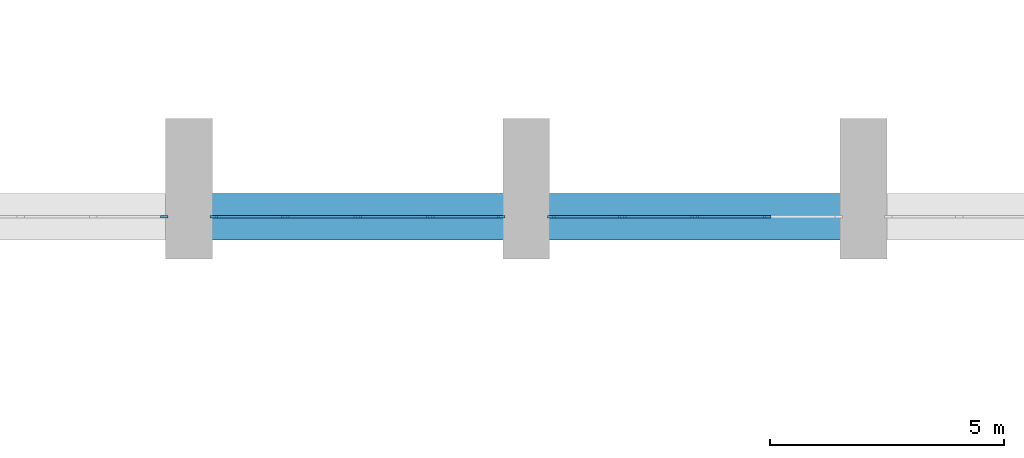
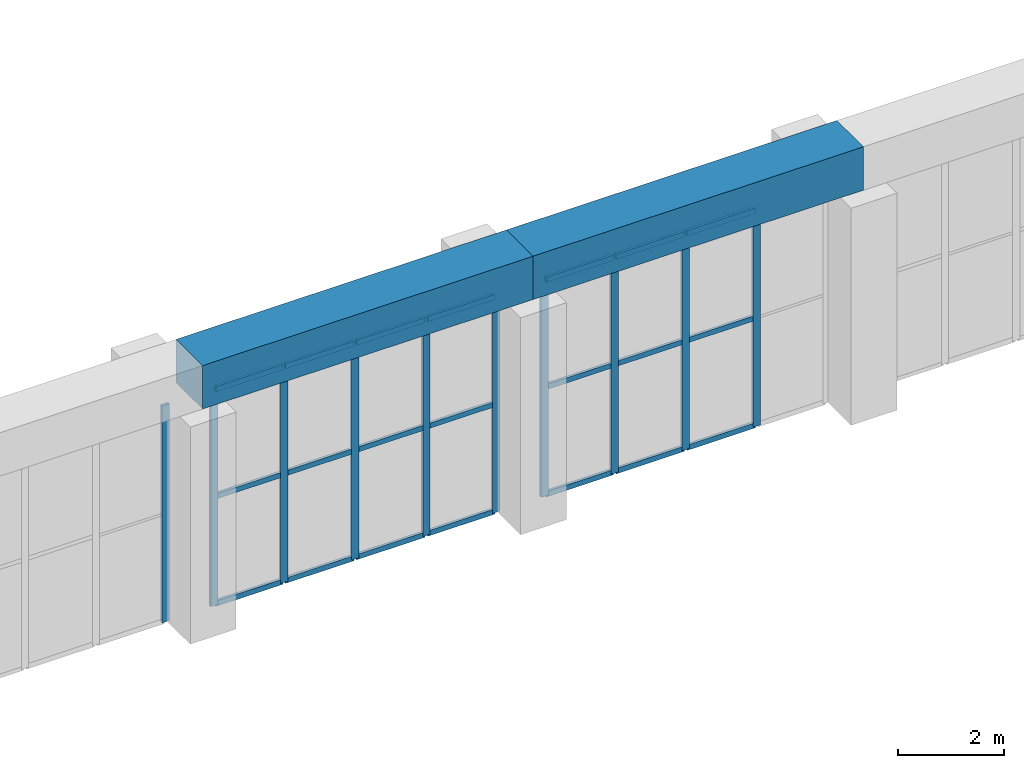
# One storey, part 11 of 44: 31 members, 2 beams, 3 elements without a shape of their own.
"""IFC4 building model written with IfcOpenShell, lengths in metres."""

from ifc_helpers import new_model, si_unit, direction, frame, origin, origin_2d, place, context, subcontext, project, spatial, rectangle, extrude, material, material_profile, profile_set, type_object, element, aggregate, save


model = new_model("IFC4")

# Units and contexts
model_context = context("Model", 3, precision=1e-05, world=origin(), true_north=direction((0.0, 1.0)))
body_context = subcontext(model_context, "Body", "Model", "MODEL_VIEW")
ifc_project = project(units=[si_unit("LENGTHUNIT", "METRE"), si_unit("AREAUNIT", "SQUARE_METRE"), si_unit("VOLUMEUNIT", "CUBIC_METRE"), si_unit("PLANEANGLEUNIT", "RADIAN"), si_unit("MASSUNIT", "GRAM", prefix="KILO")], contexts=[model_context])

# Site, building, storey
site_placement = place(None, origin())
site = spatial("IfcSite", under=ifc_project, at=site_placement, CompositionType="ELEMENT")
building_placement = place(site_placement, origin())
building = spatial("IfcBuilding", under=site, at=building_placement, Name="Vermilion Court Aquatics Centre", CompositionType="ELEMENT")
storey_placement = place(building_placement, frame((0.0, 0.0, 6.0)))
storey = spatial("IfcBuildingStorey", under=building, at=storey_placement, Name="L01", CompositionType="ELEMENT", Elevation=6.0)

# Curtain wall, member
ifc_material_1 = material(Name="Aluminium 6063-T5", Category="aluminium")
curtain_wall_type = type_object("IfcCurtainWallType", Name="Envelope curtain wall hall clerestory L01", PredefinedType="NOTDEFINED", material=ifc_material_1)
curtain_wall_1_placement = place(storey_placement, origin())
curtain_wall_1 = element("IfcCurtainWall", 1, at=curtain_wall_1_placement, inside=storey, type_object=curtain_wall_type, Name="Hall clerestory bay 14 L01", PredefinedType="NOTDEFINED")
ifc_material_2 = material(Name="Aluminium 6063-T5", Category="aluminium")
ifc_material_profile_1 = material_profile(ifc_material_2, rectangle(XDim=0.06005859375, YDim=0.159912109375, at=origin_2d()), Name="AL 60x160")
ifc_profile_set_1 = profile_set([ifc_material_profile_1], Name="Aluminium 6063-T5")
member_type_1 = type_object("IfcMemberType", Name="Envelope aluminium mullion 60x160", PredefinedType="MULLION", material=ifc_profile_set_1)
member_1_placement = place(storey_placement, frame((114.669921875, 64.800048828125, 0.0), z_axis=(0.0, 0.0, 1.0), x_axis=(0.0, 1.0, 0.0)))
member_1 = element("IfcMember", 2, at=member_1_placement, type_object=member_type_1, Name="ECW2 mullion 5", PredefinedType="MULLION", context=body_context, shape_type="SweptSolid", body=[
    extrude(rectangle(XDim=0.06005859375, YDim=0.159912109375, at=origin_2d()), origin(), (0.0, 0.0, 1.0), 5.0),
])
aggregate(curtain_wall_1, [member_1])

# Curtain wall, members
curtain_wall_2_placement = place(storey_placement, origin())
curtain_wall_2 = element("IfcCurtainWall", 3, at=curtain_wall_2_placement, inside=storey, type_object=curtain_wall_type, Name="Hall clerestory bay 15 L01", PredefinedType="NOTDEFINED")
member_2_placement = place(storey_placement, frame((115.72998046875, 64.800048828125, 0.0), z_axis=(0.0, 0.0, 1.0), x_axis=(0.0, 1.0, 0.0)))
member_2 = element("IfcMember", 4, at=member_2_placement, type_object=member_type_1, Name="ECW2 mullion 1", PredefinedType="MULLION", context=body_context, shape_type="SweptSolid", body=[
    extrude(rectangle(XDim=0.06005859375, YDim=0.159912109375, at=origin_2d()), origin(), (0.0, 0.0, 1.0), 5.0),
])
member_3_placement = place(storey_placement, frame((117.25, 64.800048828125, 0.0), z_axis=(0.0, 0.0, 1.0), x_axis=(0.0, 1.0, 0.0)))
member_3 = element("IfcMember", 5, at=member_3_placement, type_object=member_type_1, Name="ECW2 mullion 2", PredefinedType="MULLION", context=body_context, shape_type="SweptSolid", body=[
    extrude(rectangle(XDim=0.06005859375, YDim=0.159912109375, at=origin_2d()), origin(), (0.0, 0.0, 1.0), 5.0),
])
member_4_placement = place(storey_placement, frame((118.800048828125, 64.800048828125, 0.0), z_axis=(0.0, 0.0, 1.0), x_axis=(0.0, 1.0, 0.0)))
member_4 = element("IfcMember", 6, at=member_4_placement, type_object=member_type_1, Name="ECW2 mullion 3", PredefinedType="MULLION", context=body_context, shape_type="SweptSolid", body=[
    extrude(rectangle(XDim=0.06005859375, YDim=0.159912109375, at=origin_2d()), origin(), (0.0, 0.0, 1.0), 5.0),
])
member_5_placement = place(storey_placement, frame((120.35009765625, 64.800048828125, 0.0), z_axis=(0.0, 0.0, 1.0), x_axis=(0.0, 1.0, 0.0)))
member_5 = element("IfcMember", 7, at=member_5_placement, type_object=member_type_1, Name="ECW2 mullion 4", PredefinedType="MULLION", context=body_context, shape_type="SweptSolid", body=[
    extrude(rectangle(XDim=0.06005859375, YDim=0.159912109375, at=origin_2d()), origin(), (0.0, 0.0, 1.0), 5.0),
])
member_6_placement = place(storey_placement, frame((121.8701171875, 64.800048828125, 0.0), z_axis=(0.0, 0.0, 1.0), x_axis=(0.0, 1.0, 0.0)))
member_6 = element("IfcMember", 8, at=member_6_placement, type_object=member_type_1, Name="ECW2 mullion 5", PredefinedType="MULLION", context=body_context, shape_type="SweptSolid", body=[
    extrude(rectangle(XDim=0.06005859375, YDim=0.159912109375, at=origin_2d()), origin(), (0.0, 0.0, 1.0), 5.0),
])

curtain_wall_3_placement = place(storey_placement, origin())
curtain_wall_3 = element("IfcCurtainWall", 9, at=curtain_wall_3_placement, inside=storey, type_object=curtain_wall_type, Name="Hall clerestory bay 16 L01", PredefinedType="NOTDEFINED")
member_7_placement = place(storey_placement, frame((122.929931640625, 64.800048828125, 0.0), z_axis=(0.0, 0.0, 1.0), x_axis=(0.0, 1.0, 0.0)))
member_7 = element("IfcMember", 10, at=member_7_placement, type_object=member_type_1, Name="ECW2 mullion 1", PredefinedType="MULLION", context=body_context, shape_type="SweptSolid", body=[
    extrude(rectangle(XDim=0.06005859375, YDim=0.159912109375, at=origin_2d()), origin(), (0.0, 0.0, 1.0), 5.0),
])
member_8_placement = place(storey_placement, frame((124.449951171875, 64.800048828125, 0.0), z_axis=(0.0, 0.0, 1.0), x_axis=(0.0, 1.0, 0.0)))
member_8 = element("IfcMember", 11, at=member_8_placement, type_object=member_type_1, Name="ECW2 mullion 2", PredefinedType="MULLION", context=body_context, shape_type="SweptSolid", body=[
    extrude(rectangle(XDim=0.06005859375, YDim=0.159912109375, at=origin_2d()), origin(), (0.0, 0.0, 1.0), 5.0),
])
member_9_placement = place(storey_placement, frame((126.0, 64.800048828125, 0.0), z_axis=(0.0, 0.0, 1.0), x_axis=(0.0, 1.0, 0.0)))
member_9 = element("IfcMember", 12, at=member_9_placement, type_object=member_type_1, Name="ECW2 mullion 3", PredefinedType="MULLION", context=body_context, shape_type="SweptSolid", body=[
    extrude(rectangle(XDim=0.06005859375, YDim=0.159912109375, at=origin_2d()), origin(), (0.0, 0.0, 1.0), 5.0),
])
member_10_placement = place(storey_placement, frame((127.550048828125, 64.800048828125, 0.0), z_axis=(0.0, 0.0, 1.0), x_axis=(0.0, 1.0, 0.0)))
member_10 = element("IfcMember", 13, at=member_10_placement, type_object=member_type_1, Name="ECW2 mullion 4", PredefinedType="MULLION", context=body_context, shape_type="SweptSolid", body=[
    extrude(rectangle(XDim=0.06005859375, YDim=0.159912109375, at=origin_2d()), origin(), (0.0, 0.0, 1.0), 5.0),
])

# Member
ifc_material_3 = material(Name="Aluminium 6063-T5", Category="aluminium")
ifc_material_profile_2 = material_profile(ifc_material_3, rectangle(XDim=0.06005859375, YDim=0.1201171875, at=origin_2d()), Name="AL 60x120")
ifc_profile_set_2 = profile_set([ifc_material_profile_2], Name="Aluminium 6063-T5")
member_type_2 = type_object("IfcMemberType", Name="Envelope aluminium transom 60x120", PredefinedType="USERDEFINED", material=ifc_profile_set_2)
member_11_placement = place(storey_placement, frame((115.760009765625, 64.800048828125, 0.030029296875), z_axis=(1.0, 0.0, 0.0), x_axis=(0.0, 1.0, 0.0)))
member_11 = element("IfcMember", 14, at=member_11_placement, type_object=member_type_2, Name="ECW2 transom 1.1", ObjectType="TRANSOM", PredefinedType="USERDEFINED", context=body_context, shape_type="SweptSolid", body=[
    extrude(rectangle(XDim=0.06005859375, YDim=0.1201171875, at=origin_2d()), origin(), (0.0, 0.0, 1.0), 1.4599609375),
])

member_12_placement = place(storey_placement, frame((115.760009765625, 64.800048828125, 2.5), z_axis=(1.0, 0.0, 0.0), x_axis=(0.0, 1.0, 0.0)))
member_12 = element("IfcMember", 15, at=member_12_placement, type_object=member_type_2, Name="ECW2 transom 1.2", ObjectType="TRANSOM", PredefinedType="USERDEFINED", context=body_context, shape_type="SweptSolid", body=[
    extrude(rectangle(XDim=0.06005859375, YDim=0.1201171875, at=origin_2d()), origin(), (0.0, 0.0, 1.0), 1.4599609375),
])

member_13_placement = place(storey_placement, frame((115.760009765625, 64.800048828125, 4.969970703125), z_axis=(1.0, 0.0, 0.0), x_axis=(0.0, 1.0, 0.0)))
member_13 = element("IfcMember", 16, at=member_13_placement, type_object=member_type_2, Name="ECW2 transom 1.3", ObjectType="TRANSOM", PredefinedType="USERDEFINED", context=body_context, shape_type="SweptSolid", body=[
    extrude(rectangle(XDim=0.06005859375, YDim=0.1201171875, at=origin_2d()), origin(), (0.0, 0.0, 1.0), 1.4599609375),
])

member_14_placement = place(storey_placement, frame((117.280029296875, 64.800048828125, 0.030029296875), z_axis=(1.0, 0.0, 0.0), x_axis=(0.0, 1.0, 0.0)))
member_14 = element("IfcMember", 17, at=member_14_placement, type_object=member_type_2, Name="ECW2 transom 2.1", ObjectType="TRANSOM", PredefinedType="USERDEFINED", context=body_context, shape_type="SweptSolid", body=[
    extrude(rectangle(XDim=0.06005859375, YDim=0.1201171875, at=origin_2d()), origin(), (0.0, 0.0, 1.0), 1.489990234375),
])

member_15_placement = place(storey_placement, frame((117.280029296875, 64.800048828125, 2.5), z_axis=(1.0, 0.0, 0.0), x_axis=(0.0, 1.0, 0.0)))
member_15 = element("IfcMember", 18, at=member_15_placement, type_object=member_type_2, Name="ECW2 transom 2.2", ObjectType="TRANSOM", PredefinedType="USERDEFINED", context=body_context, shape_type="SweptSolid", body=[
    extrude(rectangle(XDim=0.06005859375, YDim=0.1201171875, at=origin_2d()), origin(), (0.0, 0.0, 1.0), 1.489990234375),
])

member_16_placement = place(storey_placement, frame((117.280029296875, 64.800048828125, 4.969970703125), z_axis=(1.0, 0.0, 0.0), x_axis=(0.0, 1.0, 0.0)))
member_16 = element("IfcMember", 19, at=member_16_placement, type_object=member_type_2, Name="ECW2 transom 2.3", ObjectType="TRANSOM", PredefinedType="USERDEFINED", context=body_context, shape_type="SweptSolid", body=[
    extrude(rectangle(XDim=0.06005859375, YDim=0.1201171875, at=origin_2d()), origin(), (0.0, 0.0, 1.0), 1.489990234375),
])

member_17_placement = place(storey_placement, frame((118.830078125, 64.800048828125, 0.030029296875), z_axis=(1.0, 0.0, 0.0), x_axis=(0.0, 1.0, 0.0)))
member_17 = element("IfcMember", 20, at=member_17_placement, type_object=member_type_2, Name="ECW2 transom 3.1", ObjectType="TRANSOM", PredefinedType="USERDEFINED", context=body_context, shape_type="SweptSolid", body=[
    extrude(rectangle(XDim=0.06005859375, YDim=0.1201171875, at=origin_2d()), origin(), (0.0, 0.0, 1.0), 1.489990234375),
])

member_18_placement = place(storey_placement, frame((118.830078125, 64.800048828125, 2.5), z_axis=(1.0, 0.0, 0.0), x_axis=(0.0, 1.0, 0.0)))
member_18 = element("IfcMember", 21, at=member_18_placement, type_object=member_type_2, Name="ECW2 transom 3.2", ObjectType="TRANSOM", PredefinedType="USERDEFINED", context=body_context, shape_type="SweptSolid", body=[
    extrude(rectangle(XDim=0.06005859375, YDim=0.1201171875, at=origin_2d()), origin(), (0.0, 0.0, 1.0), 1.489990234375),
])

member_19_placement = place(storey_placement, frame((118.830078125, 64.800048828125, 4.969970703125), z_axis=(1.0, 0.0, 0.0), x_axis=(0.0, 1.0, 0.0)))
member_19 = element("IfcMember", 22, at=member_19_placement, type_object=member_type_2, Name="ECW2 transom 3.3", ObjectType="TRANSOM", PredefinedType="USERDEFINED", context=body_context, shape_type="SweptSolid", body=[
    extrude(rectangle(XDim=0.06005859375, YDim=0.1201171875, at=origin_2d()), origin(), (0.0, 0.0, 1.0), 1.489990234375),
])

member_20_placement = place(storey_placement, frame((120.3798828125, 64.800048828125, 0.030029296875), z_axis=(1.0, 0.0, 0.0), x_axis=(0.0, 1.0, 0.0)))
member_20 = element("IfcMember", 23, at=member_20_placement, type_object=member_type_2, Name="ECW2 transom 4.1", ObjectType="TRANSOM", PredefinedType="USERDEFINED", context=body_context, shape_type="SweptSolid", body=[
    extrude(rectangle(XDim=0.06005859375, YDim=0.1201171875, at=origin_2d()), origin(), (0.0, 0.0, 1.0), 1.460205078125),
])

member_21_placement = place(storey_placement, frame((120.3798828125, 64.800048828125, 2.5), z_axis=(1.0, 0.0, 0.0), x_axis=(0.0, 1.0, 0.0)))
member_21 = element("IfcMember", 24, at=member_21_placement, type_object=member_type_2, Name="ECW2 transom 4.2", ObjectType="TRANSOM", PredefinedType="USERDEFINED", context=body_context, shape_type="SweptSolid", body=[
    extrude(rectangle(XDim=0.06005859375, YDim=0.1201171875, at=origin_2d()), origin(), (0.0, 0.0, 1.0), 1.460205078125),
])

member_22_placement = place(storey_placement, frame((120.3798828125, 64.800048828125, 4.969970703125), z_axis=(1.0, 0.0, 0.0), x_axis=(0.0, 1.0, 0.0)))
member_22 = element("IfcMember", 25, at=member_22_placement, type_object=member_type_2, Name="ECW2 transom 4.3", ObjectType="TRANSOM", PredefinedType="USERDEFINED", context=body_context, shape_type="SweptSolid", body=[
    extrude(rectangle(XDim=0.06005859375, YDim=0.1201171875, at=origin_2d()), origin(), (0.0, 0.0, 1.0), 1.460205078125),
])

aggregate(curtain_wall_2, [member_2, member_3, member_4, member_5, member_6, member_11, member_12, member_13, member_14, member_15, member_16, member_17, member_18, member_19, member_20, member_21, member_22])

member_23_placement = place(storey_placement, frame((122.9599609375, 64.800048828125, 0.030029296875), z_axis=(1.0, 0.0, 0.0), x_axis=(0.0, 1.0, 0.0)))
member_23 = element("IfcMember", 26, at=member_23_placement, type_object=member_type_2, Name="ECW2 transom 1.1", ObjectType="TRANSOM", PredefinedType="USERDEFINED", context=body_context, shape_type="SweptSolid", body=[
    extrude(rectangle(XDim=0.06005859375, YDim=0.1201171875, at=origin_2d()), origin(), (0.0, 0.0, 1.0), 1.4599609375),
])

member_24_placement = place(storey_placement, frame((122.9599609375, 64.800048828125, 2.5), z_axis=(1.0, 0.0, 0.0), x_axis=(0.0, 1.0, 0.0)))
member_24 = element("IfcMember", 27, at=member_24_placement, type_object=member_type_2, Name="ECW2 transom 1.2", ObjectType="TRANSOM", PredefinedType="USERDEFINED", context=body_context, shape_type="SweptSolid", body=[
    extrude(rectangle(XDim=0.06005859375, YDim=0.1201171875, at=origin_2d()), origin(), (0.0, 0.0, 1.0), 1.4599609375),
])

member_25_placement = place(storey_placement, frame((122.9599609375, 64.800048828125, 4.969970703125), z_axis=(1.0, 0.0, 0.0), x_axis=(0.0, 1.0, 0.0)))
member_25 = element("IfcMember", 28, at=member_25_placement, type_object=member_type_2, Name="ECW2 transom 1.3", ObjectType="TRANSOM", PredefinedType="USERDEFINED", context=body_context, shape_type="SweptSolid", body=[
    extrude(rectangle(XDim=0.06005859375, YDim=0.1201171875, at=origin_2d()), origin(), (0.0, 0.0, 1.0), 1.4599609375),
])

member_26_placement = place(storey_placement, frame((124.47998046875, 64.800048828125, 0.030029296875), z_axis=(1.0, 0.0, 0.0), x_axis=(0.0, 1.0, 0.0)))
member_26 = element("IfcMember", 29, at=member_26_placement, type_object=member_type_2, Name="ECW2 transom 2.1", ObjectType="TRANSOM", PredefinedType="USERDEFINED", context=body_context, shape_type="SweptSolid", body=[
    extrude(rectangle(XDim=0.06005859375, YDim=0.1201171875, at=origin_2d()), origin(), (0.0, 0.0, 1.0), 1.489990234375),
])

member_27_placement = place(storey_placement, frame((124.47998046875, 64.800048828125, 2.5), z_axis=(1.0, 0.0, 0.0), x_axis=(0.0, 1.0, 0.0)))
member_27 = element("IfcMember", 30, at=member_27_placement, type_object=member_type_2, Name="ECW2 transom 2.2", ObjectType="TRANSOM", PredefinedType="USERDEFINED", context=body_context, shape_type="SweptSolid", body=[
    extrude(rectangle(XDim=0.06005859375, YDim=0.1201171875, at=origin_2d()), origin(), (0.0, 0.0, 1.0), 1.489990234375),
])

member_28_placement = place(storey_placement, frame((124.47998046875, 64.800048828125, 4.969970703125), z_axis=(1.0, 0.0, 0.0), x_axis=(0.0, 1.0, 0.0)))
member_28 = element("IfcMember", 31, at=member_28_placement, type_object=member_type_2, Name="ECW2 transom 2.3", ObjectType="TRANSOM", PredefinedType="USERDEFINED", context=body_context, shape_type="SweptSolid", body=[
    extrude(rectangle(XDim=0.06005859375, YDim=0.1201171875, at=origin_2d()), origin(), (0.0, 0.0, 1.0), 1.489990234375),
])

member_29_placement = place(storey_placement, frame((126.030029296875, 64.800048828125, 0.030029296875), z_axis=(1.0, 0.0, 0.0), x_axis=(0.0, 1.0, 0.0)))
member_29 = element("IfcMember", 32, at=member_29_placement, type_object=member_type_2, Name="ECW2 transom 3.1", ObjectType="TRANSOM", PredefinedType="USERDEFINED", context=body_context, shape_type="SweptSolid", body=[
    extrude(rectangle(XDim=0.06005859375, YDim=0.1201171875, at=origin_2d()), origin(), (0.0, 0.0, 1.0), 1.489990234375),
])

member_30_placement = place(storey_placement, frame((126.030029296875, 64.800048828125, 2.5), z_axis=(1.0, 0.0, 0.0), x_axis=(0.0, 1.0, 0.0)))
member_30 = element("IfcMember", 33, at=member_30_placement, type_object=member_type_2, Name="ECW2 transom 3.2", ObjectType="TRANSOM", PredefinedType="USERDEFINED", context=body_context, shape_type="SweptSolid", body=[
    extrude(rectangle(XDim=0.06005859375, YDim=0.1201171875, at=origin_2d()), origin(), (0.0, 0.0, 1.0), 1.489990234375),
])

member_31_placement = place(storey_placement, frame((126.030029296875, 64.800048828125, 4.969970703125), z_axis=(1.0, 0.0, 0.0), x_axis=(0.0, 1.0, 0.0)))
member_31 = element("IfcMember", 34, at=member_31_placement, type_object=member_type_2, Name="ECW2 transom 3.3", ObjectType="TRANSOM", PredefinedType="USERDEFINED", context=body_context, shape_type="SweptSolid", body=[
    extrude(rectangle(XDim=0.06005859375, YDim=0.1201171875, at=origin_2d()), origin(), (0.0, 0.0, 1.0), 1.489990234375),
])

aggregate(curtain_wall_3, [member_7, member_8, member_9, member_10, member_23, member_24, member_25, member_26, member_27, member_28, member_29, member_30, member_31])

# Beams
ifc_material_4 = material(Name="Concrete 5000 psi", Category="concrete")
ifc_material_profile_3 = material_profile(ifc_material_4, rectangle(XDim=1.0, YDim=1.0, at=origin_2d()), Name="RC 1000x1000")
ifc_profile_set_3 = profile_set([ifc_material_profile_3], Name="Concrete 5000 psi")
beam_type = type_object("IfcBeamType", Name="Roof springing tie beam north (clear span between piers)", PredefinedType="BEAM", material=ifc_profile_set_3)
beam_1_placement = place(storey_placement, frame((115.199951171875, 64.800048828125, 5.5), z_axis=(1.0, 0.0, 0.0), x_axis=(0.0, 1.0, 0.0)))
element("IfcBeam", 35, at=beam_1_placement, inside=storey, type_object=beam_type, Name="Springing tie beam STN15", PredefinedType="BEAM", context=body_context, shape_type="SweptSolid", body=[
    extrude(rectangle(XDim=1.0, YDim=1.0, at=origin_2d()), origin(), (0.0, 0.0, 1.0), 7.199951171875),
])
beam_2_placement = place(storey_placement, frame((122.39990234375, 64.800048828125, 5.5), z_axis=(1.0, 0.0, 0.0), x_axis=(0.0, 1.0, 0.0)))
element("IfcBeam", 36, at=beam_2_placement, inside=storey, type_object=beam_type, Name="Springing tie beam STN16", PredefinedType="BEAM", context=body_context, shape_type="SweptSolid", body=[
    extrude(rectangle(XDim=1.0, YDim=1.0, at=origin_2d()), origin(), (0.0, 0.0, 1.0), 7.2001953125),
])

save(model, "model.ifc")
